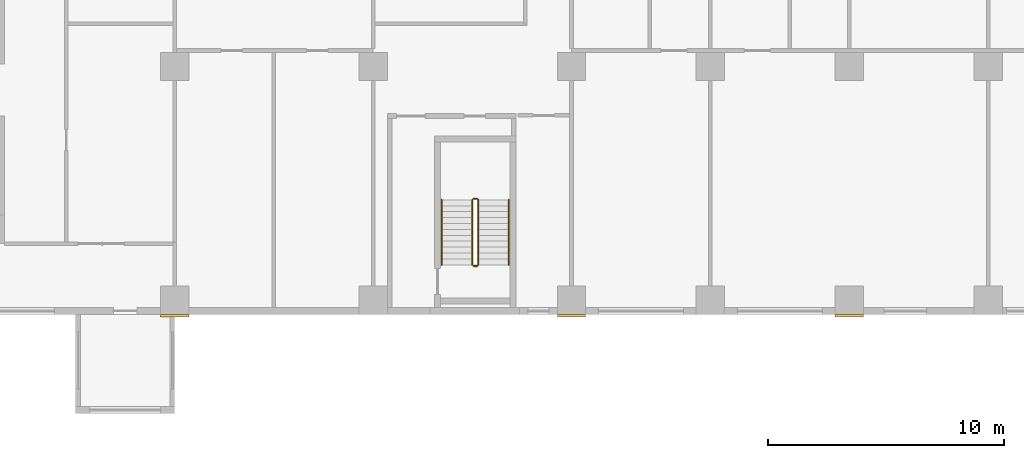
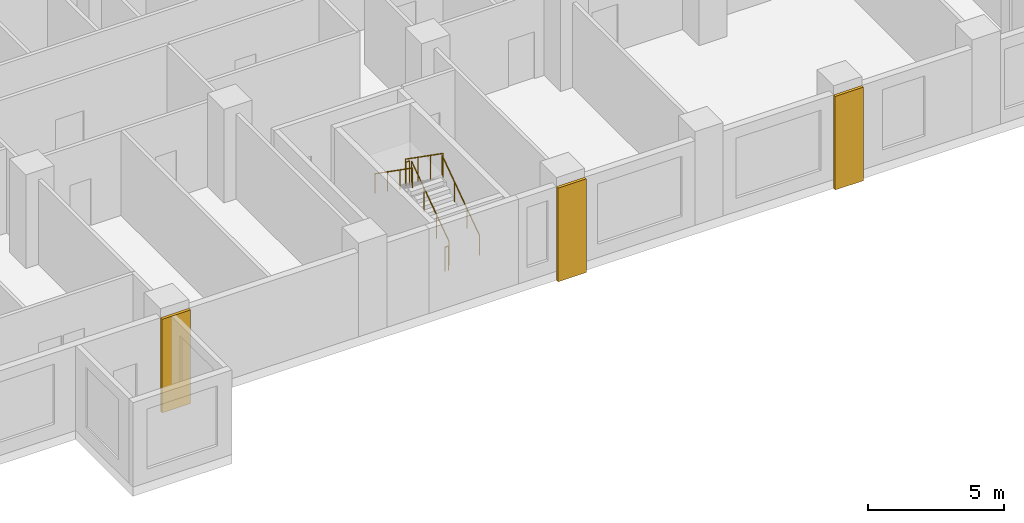
# One storey, part 12 of 15: 6 railings, 3 coverings.
"""IFC4 building model written with IfcOpenShell, lengths in metres."""

from ifc_helpers import new_model, si_unit, direction, frame, origin, origin_2d, place, context, subcontext, project, spatial, rectangle, circle, extrude, source, transform, mapped, material, type_object, element, save


model = new_model("IFC4")

# Units and contexts
model_context = context("Model", 3, precision=1e-05, world=origin(), true_north=direction((0.0, 1.0)))
body_context = subcontext(model_context, "Body", "Model", "MODEL_VIEW")
ifc_project = project(units=[si_unit("LENGTHUNIT", "METRE"), si_unit("AREAUNIT", "SQUARE_METRE"), si_unit("VOLUMEUNIT", "CUBIC_METRE"), si_unit("PLANEANGLEUNIT", "RADIAN"), si_unit("MASSUNIT", "GRAM", prefix="KILO")], contexts=[model_context])

# Site, building, storey
site_placement = place(None, origin())
site = spatial("IfcSite", under=ifc_project, at=site_placement, CompositionType="ELEMENT")
building_placement = place(site_placement, origin())
building = spatial("IfcBuilding", under=site, at=building_placement, Name="Aurelian Terraces", CompositionType="ELEMENT")
storey_placement = place(building_placement, frame((0.0, 0.0, 65.7)))
storey = spatial("IfcBuildingStorey", under=building, at=storey_placement, Name="L13", CompositionType="ELEMENT", Elevation=65.7)

# Coverings
ifc_material_1 = material(Name="Terracotta rainscreen cladding relief", Category="masonry")
covering_type = type_object("IfcCoveringType", Name="BAGUETTE-TC", PredefinedType="CLADDING", material=ifc_material_1)
shared_shape_1 = source(origin(), body_context, "Body", "SweptSolid", [
    extrude(rectangle(XDim=1.2, YDim=0.12, at=origin_2d()), origin(), (0.0, 0.0, 1.0), 4.2),
])
for number, where, z_axis, x_axis, name in (
    (1, (29.4, -0.06, -0.4), (0.0, 0.0, 1.0), (1.0, 0.0, 0.0), "BAGUETTE pier L13 2"),
    (2, (46.2, -0.06, -0.4), (0.0, 0.0, 1.0), (1.0, 0.0, 0.0), "BAGUETTE pier L13 3"),
    (3, (57.96, -0.06, -0.4), (0.0, 0.0, 1.0), (1.0, 0.0, 0.0), "BAGUETTE pier L13 4"),
):
    element("IfcCovering", number, at=place(storey_placement, frame(where, z_axis=z_axis, x_axis=x_axis)), inside=storey, type_object=covering_type, Name=name, PredefinedType="CLADDING", context=body_context, shape_type="MappedRepresentation", body=[
        mapped(shared_shape_1, transform((0.0, 0.0, 0.0), scale=1.0)),
    ])

# Railings
ifc_material_2 = material(Name="Stainless steel", Category="steel")
railing_type_1 = type_object("IfcRailingType", Name="Stair guard 1100", PredefinedType="GUARDRAIL", material=ifc_material_2)
shared_shape_2 = source(origin(), body_context, "Body", "SweptSolid", [
    extrude(circle(Radius=0.024, at=origin_2d()), frame((0.0, 0.0, 1.076), z_axis=(-1.0, 0.0, 0.0), x_axis=(0.0, -1.0, 0.0)), (0.0, 0.0, 1.0), 0.15),
    extrude(circle(Radius=0.021, at=origin_2d()), origin(), (0.0, 0.0, 1.0), 1.052),
    extrude(circle(Radius=0.021, at=origin_2d()), frame((-0.15, 0.0, 0.0)), (0.0, 0.0, 1.0), 1.052),
])
for number, where, name in (
    (4, (42.2, 4.9, 2.1), "L13 S2 stair guard 2"),
    (5, (42.2, 2.05, 0.0), "L13 S2 stair guard 4"),
):
    element("IfcRailing", number, at=place(storey_placement, frame(where)), inside=storey, type_object=railing_type_1, Name=name, PredefinedType="GUARDRAIL", context=body_context, shape_type="MappedRepresentation", body=[
        mapped(shared_shape_2, transform((0.0, 0.0, 0.0), scale=1.0)),
    ])
shared_shape_3 = source(origin(), body_context, "Body", "SweptSolid", [
    extrude(circle(Radius=0.024, at=origin_2d()), frame((0.0, 0.0, 1.076), z_axis=(0.0, 0.819231920519, 0.573462344363), x_axis=(-1.0, 0.0, 0.0)), (0.0, 0.0, 1.0), 3.3568),
    extrude(circle(Radius=0.021, at=origin_2d()), origin(), (0.0, 0.0, 1.0), 1.052),
    extrude(circle(Radius=0.021, at=origin_2d()), frame((0.0, 0.9167, 0.6417)), (0.0, 0.0, 1.0), 1.052),
    extrude(circle(Radius=0.021, at=origin_2d()), frame((0.0, 1.8333, 1.2833)), (0.0, 0.0, 1.0), 1.052),
    extrude(circle(Radius=0.021, at=origin_2d()), frame((0.0, 2.75, 1.925)), (0.0, 0.0, 1.0), 1.052),
])
railing_1_placement = place(storey_placement, frame((42.25, 2.1, 0.175)))
element("IfcRailing", 6, at=railing_1_placement, inside=storey, type_object=railing_type_1, Name="L13 S2 stair guard 1", PredefinedType="GUARDRAIL", context=body_context, shape_type="MappedRepresentation", body=[
    mapped(shared_shape_3, transform((0.0, 0.0, 0.0), scale=1.0)),
])
shared_shape_4 = source(origin(), body_context, "Body", "SweptSolid", [
    extrude(circle(Radius=0.024, at=origin_2d()), frame((0.0, 0.0, 1.076), z_axis=(0.0, -0.819231920519, 0.573462344363), x_axis=(1.0, 0.0, 0.0)), (0.0, 0.0, 1.0), 3.3568),
    extrude(circle(Radius=0.021, at=origin_2d()), origin(), (0.0, 0.0, 1.0), 1.052),
    extrude(circle(Radius=0.021, at=origin_2d()), frame((0.0, -0.9167, 0.6417)), (0.0, 0.0, 1.0), 1.052),
    extrude(circle(Radius=0.021, at=origin_2d()), frame((0.0, -1.8333, 1.2833)), (0.0, 0.0, 1.0), 1.052),
    extrude(circle(Radius=0.021, at=origin_2d()), frame((0.0, -2.75, 1.925)), (0.0, 0.0, 1.0), 1.052),
])
railing_2_placement = place(storey_placement, frame((42.0, 4.85, 2.275)))
element("IfcRailing", 7, at=railing_2_placement, inside=storey, type_object=railing_type_1, Name="L13 S2 stair guard 3", PredefinedType="GUARDRAIL", context=body_context, shape_type="MappedRepresentation", body=[
    mapped(shared_shape_4, transform((0.0, 0.0, 0.0), scale=1.0)),
])
railing_type_2 = type_object("IfcRailingType", Name="Stair handrail", PredefinedType="HANDRAIL", material=ifc_material_2)
shared_shape_5 = source(origin(), body_context, "Body", "SweptSolid", [
    extrude(circle(Radius=0.024, at=origin_2d()), frame((0.0, 0.0, 0.876), z_axis=(0.0, 0.819231920519, 0.573462344363), x_axis=(-1.0, 0.0, 0.0)), (0.0, 0.0, 1.0), 3.3568),
    extrude(circle(Radius=0.021, at=origin_2d()), origin(), (0.0, 0.0, 1.0), 0.852),
    extrude(circle(Radius=0.021, at=origin_2d()), frame((0.0, 0.9167, 0.6417)), (0.0, 0.0, 1.0), 0.852),
    extrude(circle(Radius=0.021, at=origin_2d()), frame((0.0, 1.8333, 1.2833)), (0.0, 0.0, 1.0), 0.852),
    extrude(circle(Radius=0.021, at=origin_2d()), frame((0.0, 2.75, 1.925)), (0.0, 0.0, 1.0), 0.852),
])
railing_3_placement = place(storey_placement, frame((43.55, 2.1, 0.175)))
element("IfcRailing", 8, at=railing_3_placement, inside=storey, type_object=railing_type_2, Name="L13 S2 stair handrail 1", PredefinedType="HANDRAIL", context=body_context, shape_type="MappedRepresentation", body=[
    mapped(shared_shape_5, transform((0.0, 0.0, 0.0), scale=1.0)),
])
shared_shape_6 = source(origin(), body_context, "Body", "SweptSolid", [
    extrude(circle(Radius=0.024, at=origin_2d()), frame((0.0, 0.0, 0.876), z_axis=(0.0, -0.819231920519, 0.573462344363), x_axis=(1.0, 0.0, 0.0)), (0.0, 0.0, 1.0), 3.3568),
    extrude(circle(Radius=0.021, at=origin_2d()), origin(), (0.0, 0.0, 1.0), 0.852),
    extrude(circle(Radius=0.021, at=origin_2d()), frame((0.0, -0.9167, 0.6417)), (0.0, 0.0, 1.0), 0.852),
    extrude(circle(Radius=0.021, at=origin_2d()), frame((0.0, -1.8333, 1.2833)), (0.0, 0.0, 1.0), 0.852),
    extrude(circle(Radius=0.021, at=origin_2d()), frame((0.0, -2.75, 1.925)), (0.0, 0.0, 1.0), 0.852),
])
railing_4_placement = place(storey_placement, frame((40.7, 4.85, 2.275)))
element("IfcRailing", 9, at=railing_4_placement, inside=storey, type_object=railing_type_2, Name="L13 S2 stair handrail 2", PredefinedType="HANDRAIL", context=body_context, shape_type="MappedRepresentation", body=[
    mapped(shared_shape_6, transform((0.0, 0.0, 0.0), scale=1.0)),
])

save(model, "model.ifc")
